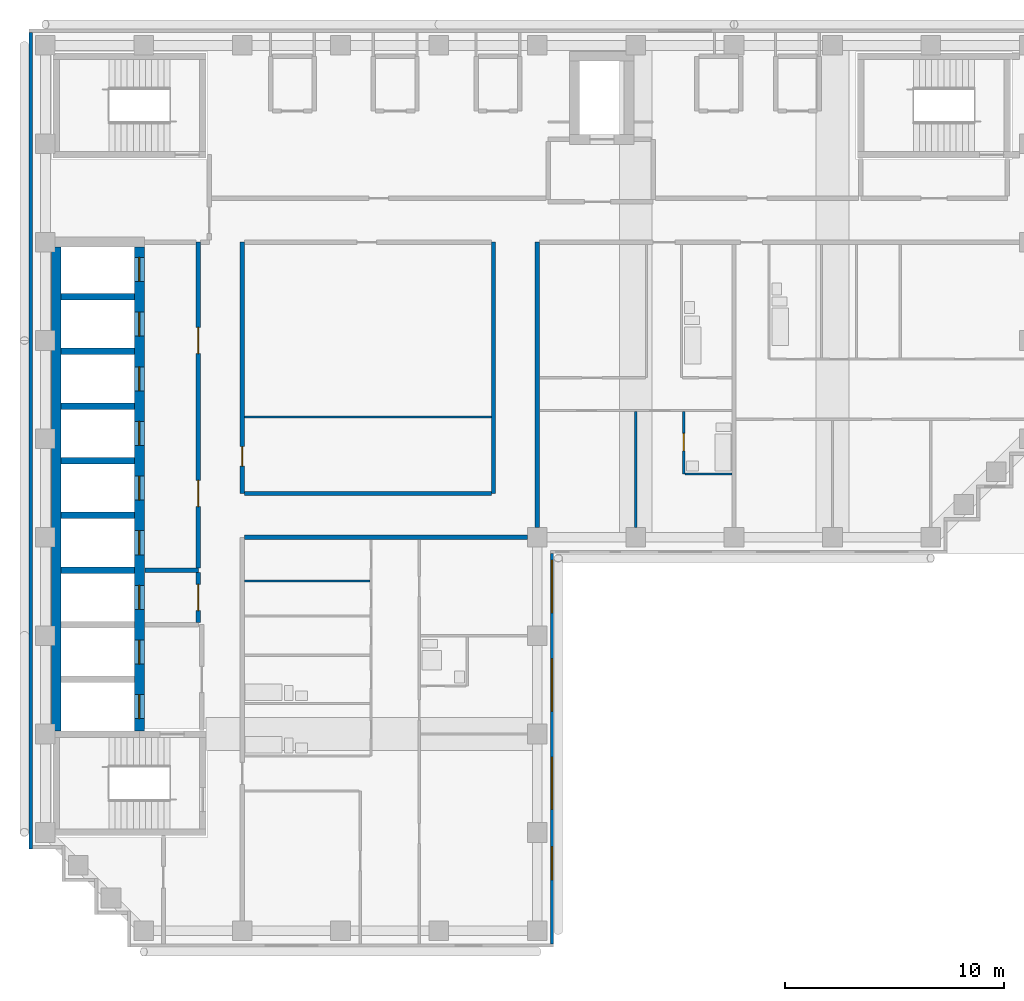
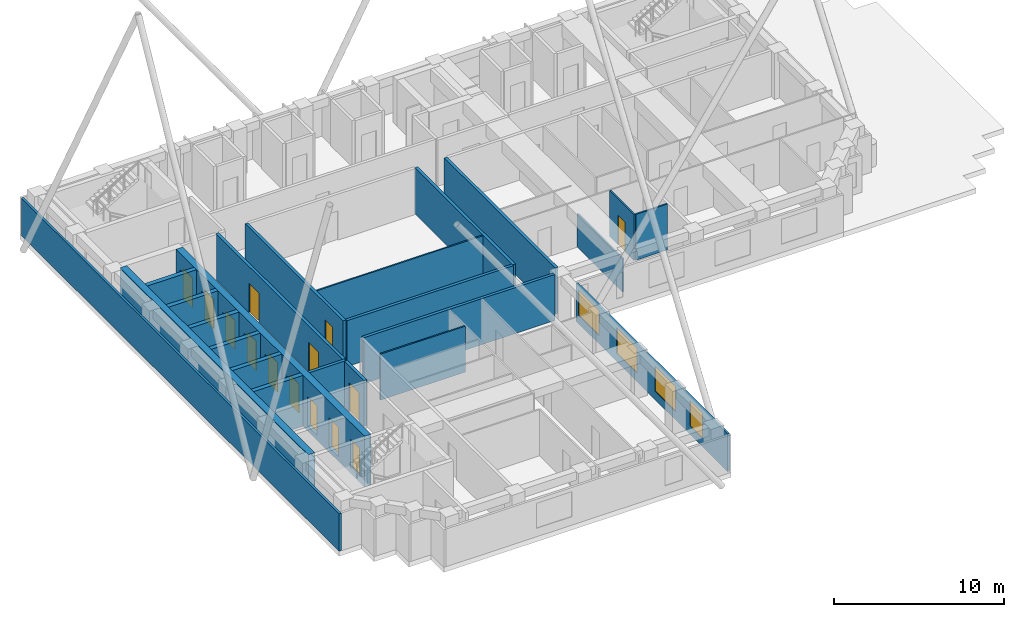
# One storey, part 3 of 8: 23 walls, 14 doors, 4 windows, 18 openings.
"""IFC4 building model written with IfcOpenShell, lengths in metres."""

from ifc_helpers import new_model, si_unit, direction, frame, frame_2d, origin, place, context, subcontext, project, spatial, rectangle, extrude, material, layer, layer_set, type_object, element, fill, save


model = new_model("IFC4")

# Units and contexts
model_context = context("Model", 3, precision=1e-05, world=origin(), true_north=direction((0.0, 1.0)))
body_context = subcontext(model_context, "Body", "Model", "MODEL_VIEW")
ifc_project = project(units=[si_unit("LENGTHUNIT", "METRE"), si_unit("AREAUNIT", "SQUARE_METRE"), si_unit("VOLUMEUNIT", "CUBIC_METRE"), si_unit("PLANEANGLEUNIT", "RADIAN"), si_unit("MASSUNIT", "GRAM", prefix="KILO")], contexts=[model_context])

# Site, building, storey
site_placement = place(None, origin())
site = spatial("IfcSite", under=ifc_project, at=site_placement, CompositionType="ELEMENT")
building_placement = place(site_placement, origin())
building = spatial("IfcBuilding", under=site, at=building_placement, Name="Firuza Court", CompositionType="ELEMENT")
storey_placement = place(building_placement, frame((0.0, 0.0, 233.0)))
storey = spatial("IfcBuildingStorey", under=building, at=storey_placement, Name="L60", CompositionType="ELEMENT", Elevation=233.0)

# Wall, opening, door
ifc_material_1 = material(Name="Moisture-resistant gypsum board partition")
ifc_layer_1 = layer(ifc_material_1, 0.10009765625)
ifc_layer_set_1 = layer_set([ifc_layer_1], Name="Moisture-resistant gypsum board partition")
wall_type_1 = type_object("IfcWallType", Name="Bathroom partition 100", PredefinedType="PLUMBINGWALL", material=ifc_layer_set_1)
wall_1_placement = place(storey_placement, frame((29.199951171875, 38.89990234375, 0.0), z_axis=(0.0, 0.0, 1.0), x_axis=(0.0, 1.0, 0.0)))
wall_1 = element("IfcWall", 1, at=wall_1_placement, inside=storey, type_object=wall_type_1, Name="Bathroom partition 100 L60", PredefinedType="PLUMBINGWALL", context=body_context, shape_type="SweptSolid", body=[
    extrude(rectangle(XDim=2.85009765625, YDim=0.10009765625, at=frame_2d((1.425048828125, 0.0))), origin(), (0.0, 0.0, 1.0), 3.300048828125),
])
opening_1_placement = place(wall_1_placement, frame((1.050048828125, 0.0, 0.0)))
opening_1 = element("IfcOpeningElement", 2, at=opening_1_placement, cuts=wall_1, Name="Opening D60025", PredefinedType="OPENING", context=body_context, shape_type="SweptSolid", body=[
    extrude(rectangle(XDim=0.800048828125, YDim=2.10009765625, at=frame_2d((0.39990234375, 1.050048828125))), frame((0.0, 0.06201171875, 0.0), z_axis=(0.0, -1.0, 0.0), x_axis=(1.0, 0.0, 0.0)), (0.0, 0.0, 1.0), 0.1240234375),
])
ifc_material_2 = material(Name="Timber door leaf in hardwood frame", Category="wood")
door_type_1 = type_object("IfcDoorType", Name="Bathroom door 800", OperationType="SINGLE_SWING_LEFT", PredefinedType="DOOR", material=ifc_material_2)
door_1_placement = place(opening_1_placement, frame((0.800048828125, 0.0, 0.0), z_axis=(0.0, 0.0, 1.0), x_axis=(-1.0, 0.0, 0.0)))
door_1 = element("IfcDoor", 3, at=door_1_placement, inside=storey, type_object=door_type_1, Name="En-suite door", OperationType="SINGLE_SWING_RIGHT", OverallHeight=2.10009765625, OverallWidth=0.800048828125, PredefinedType="DOOR", context=body_context, shape_type="SweptSolid", body=[
    extrude(rectangle(XDim=0.800048828125, YDim=2.10009765625, at=frame_2d((0.39990234375, 1.050048828125))), frame((0.0, 0.02490234375, 0.0), z_axis=(0.0, -1.0, 0.0), x_axis=(1.0, 0.0, 0.0)), (0.0, 0.0, 1.0), 0.050048828125),
])
fill(opening_1, door_1)

# Walls
wall_2_placement = place(storey_placement, frame((29.25, 38.89990234375, 0.0), z_axis=(0.0, 0.0, 1.0), x_axis=(1.0, 0.0, 0.0)))
element("IfcWall", 4, at=wall_2_placement, inside=storey, type_object=wall_type_1, Name="Bathroom partition 100 L60", PredefinedType="PLUMBINGWALL", context=body_context, shape_type="SweptSolid", body=[
    extrude(rectangle(XDim=2.14990234375, YDim=0.10009765625, at=frame_2d((1.074951171875, 0.0))), origin(), (0.0, 0.0, 1.0), 3.300048828125),
])
ifc_material_3 = material(Name="Concrete C50/60", Category="concrete")
ifc_layer_2 = layer(ifc_material_3, 0.300048828125)
ifc_layer_set_2 = layer_set([ifc_layer_2], Name="Concrete C50/60")
wall_type_2 = type_object("IfcWallType", Name="Core wall 300 C50/60", PredefinedType="SHEAR", material=ifc_layer_set_2)
for number, where, z_axis, x_axis, name in (
    (5, (0.72509765625, 34.5, -0.35009765625), (0.0, 0.0, 1.0), (1.0, 0.0, 0.0), "Core wall lift shaft L60"),
    (6, (0.72509765625, 37.0, -0.35009765625), (0.0, 0.0, 1.0), (1.0, 0.0, 0.0), "Core wall lift shaft L60"),
    (7, (0.72509765625, 39.5, -0.35009765625), (0.0, 0.0, 1.0), (1.0, 0.0, 0.0), "Core wall lift shaft L60"),
    (8, (0.72509765625, 42.0, -0.35009765625), (0.0, 0.0, 1.0), (1.0, 0.0, 0.0), "Core wall lift shaft L60"),
    (9, (0.72509765625, 44.5, -0.35009765625), (0.0, 0.0, 1.0), (1.0, 0.0, 0.0), "Core wall lift shaft L60"),
    (10, (0.72509765625, 47.0, -0.35009765625), (0.0, 0.0, 1.0), (1.0, 0.0, 0.0), "Core wall lift shaft L60"),
):
    element("IfcWall", number, at=place(storey_placement, frame(where, z_axis=z_axis, x_axis=x_axis)), inside=storey, type_object=wall_type_2, Name=name, PredefinedType="SHEAR", context=body_context, shape_type="SweptSolid", body=[
        extrude(rectangle(XDim=3.349853515625, YDim=0.300048828125, at=frame_2d((1.6748046875, 0.0))), origin(), (0.0, 0.0, 1.0), 3.650146484375),
    ])
ifc_layer_3 = layer(ifc_material_3, 0.449951171875)
ifc_layer_set_3 = layer_set([ifc_layer_3], Name="Concrete C50/60")
wall_type_3 = type_object("IfcWallType", Name="Core wall 450 C50/60", PredefinedType="SHEAR", material=ifc_layer_set_3)
wall_3_placement = place(storey_placement, frame((0.5, 27.14990234375, -0.35009765625), z_axis=(0.0, 0.0, 1.0), x_axis=(0.0, 1.0, 0.0)))
element("IfcWall", 11, at=wall_3_placement, inside=storey, type_object=wall_type_3, Name="Core wall lift shaft L60", PredefinedType="SHEAR", context=body_context, shape_type="SweptSolid", body=[
    extrude(rectangle(XDim=22.125, YDim=0.449951171875, at=frame_2d((11.0625, 0.0))), origin(), (0.0, 0.0, 1.0), 3.650146484375),
])

# Wall, openings, doors
wall_4_placement = place(storey_placement, frame((4.300048828125, 27.14990234375, -0.35009765625), z_axis=(0.0, 0.0, 1.0), x_axis=(0.0, 1.0, 0.0)))
wall_4 = element("IfcWall", 12, at=wall_4_placement, inside=storey, type_object=wall_type_3, Name="Core wall lift shaft L60", PredefinedType="SHEAR", context=body_context, shape_type="SweptSolid", body=[
    extrude(rectangle(XDim=22.125, YDim=0.449951171875, at=frame_2d((11.0625, 0.0))), origin(), (0.0, 0.0, 1.0), 3.650146484375),
])
opening_2_placement = place(wall_4_placement, frame((3.050048828125, 0.0, 0.35009765625)))
opening_2 = element("IfcOpeningElement", 13, at=opening_2_placement, cuts=wall_4, Name="Opening LD-FL1-60", PredefinedType="OPENING", context=body_context, shape_type="SweptSolid", body=[
    extrude(rectangle(XDim=1.10009765625, YDim=2.10009765625, at=frame_2d((0.550048828125, 1.050048828125))), frame((0.0, 0.23681640625, 0.0), z_axis=(0.0, -1.0, 0.0), x_axis=(1.0, 0.0, 0.0)), (0.0, 0.0, 1.0), 0.473876953125),
])
opening_3_placement = place(wall_4_placement, frame((0.550048828125, 0.0, 0.35009765625)))
opening_3 = element("IfcOpeningElement", 14, at=opening_3_placement, cuts=wall_4, Name="Opening LD-FL2-60", PredefinedType="OPENING", context=body_context, shape_type="SweptSolid", body=[
    extrude(rectangle(XDim=1.10009765625, YDim=2.10009765625, at=frame_2d((0.550048828125, 1.050048828125))), frame((0.0, 0.23681640625, 0.0), z_axis=(0.0, -1.0, 0.0), x_axis=(1.0, 0.0, 0.0)), (0.0, 0.0, 1.0), 0.473876953125),
])
opening_4_placement = place(wall_4_placement, frame((20.550048828125, 0.0, 0.35009765625)))
opening_4 = element("IfcOpeningElement", 15, at=opening_4_placement, cuts=wall_4, Name="Opening LD-HB1-60", PredefinedType="OPENING", context=body_context, shape_type="SweptSolid", body=[
    extrude(rectangle(XDim=1.10009765625, YDim=2.10009765625, at=frame_2d((0.550048828125, 1.050048828125))), frame((0.0, 0.23681640625, 0.0), z_axis=(0.0, -1.0, 0.0), x_axis=(1.0, 0.0, 0.0)), (0.0, 0.0, 1.0), 0.473876953125),
])
opening_5_placement = place(wall_4_placement, frame((18.050048828125, 0.0, 0.35009765625)))
opening_5 = element("IfcOpeningElement", 16, at=opening_5_placement, cuts=wall_4, Name="Opening LD-HB2-60", PredefinedType="OPENING", context=body_context, shape_type="SweptSolid", body=[
    extrude(rectangle(XDim=1.10009765625, YDim=2.10009765625, at=frame_2d((0.550048828125, 1.050048828125))), frame((0.0, 0.23681640625, 0.0), z_axis=(0.0, -1.0, 0.0), x_axis=(1.0, 0.0, 0.0)), (0.0, 0.0, 1.0), 0.473876953125),
])
opening_6_placement = place(wall_4_placement, frame((15.550048828125, 0.0, 0.35009765625)))
opening_6 = element("IfcOpeningElement", 17, at=opening_6_placement, cuts=wall_4, Name="Opening LD-HB3-60", PredefinedType="OPENING", context=body_context, shape_type="SweptSolid", body=[
    extrude(rectangle(XDim=1.10009765625, YDim=2.10009765625, at=frame_2d((0.550048828125, 1.050048828125))), frame((0.0, 0.23681640625, 0.0), z_axis=(0.0, -1.0, 0.0), x_axis=(1.0, 0.0, 0.0)), (0.0, 0.0, 1.0), 0.473876953125),
])
opening_7_placement = place(wall_4_placement, frame((13.050048828125, 0.0, 0.35009765625)))
opening_7 = element("IfcOpeningElement", 18, at=opening_7_placement, cuts=wall_4, Name="Opening LD-HB4-60", PredefinedType="OPENING", context=body_context, shape_type="SweptSolid", body=[
    extrude(rectangle(XDim=1.10009765625, YDim=2.10009765625, at=frame_2d((0.550048828125, 1.050048828125))), frame((0.0, 0.23681640625, 0.0), z_axis=(0.0, -1.0, 0.0), x_axis=(1.0, 0.0, 0.0)), (0.0, 0.0, 1.0), 0.473876953125),
])
opening_8_placement = place(wall_4_placement, frame((10.550048828125, 0.0, 0.35009765625)))
opening_8 = element("IfcOpeningElement", 19, at=opening_8_placement, cuts=wall_4, Name="Opening LD-HB5-60", PredefinedType="OPENING", context=body_context, shape_type="SweptSolid", body=[
    extrude(rectangle(XDim=1.10009765625, YDim=2.10009765625, at=frame_2d((0.550048828125, 1.050048828125))), frame((0.0, 0.23681640625, 0.0), z_axis=(0.0, -1.0, 0.0), x_axis=(1.0, 0.0, 0.0)), (0.0, 0.0, 1.0), 0.473876953125),
])
opening_9_placement = place(wall_4_placement, frame((8.050048828125, 0.0, 0.35009765625)))
opening_9 = element("IfcOpeningElement", 20, at=opening_9_placement, cuts=wall_4, Name="Opening LD-HB6-60", PredefinedType="OPENING", context=body_context, shape_type="SweptSolid", body=[
    extrude(rectangle(XDim=1.10009765625, YDim=2.10009765625, at=frame_2d((0.550048828125, 1.050048828125))), frame((0.0, 0.23681640625, 0.0), z_axis=(0.0, -1.0, 0.0), x_axis=(1.0, 0.0, 0.0)), (0.0, 0.0, 1.0), 0.473876953125),
])
opening_10_placement = place(wall_4_placement, frame((5.550048828125, 0.0, 0.35009765625)))
opening_10 = element("IfcOpeningElement", 21, at=opening_10_placement, cuts=wall_4, Name="Opening LD-SL1-60", PredefinedType="OPENING", context=body_context, shape_type="SweptSolid", body=[
    extrude(rectangle(XDim=1.10009765625, YDim=2.10009765625, at=frame_2d((0.550048828125, 1.050048828125))), frame((0.0, 0.23681640625, 0.0), z_axis=(0.0, -1.0, 0.0), x_axis=(1.0, 0.0, 0.0)), (0.0, 0.0, 1.0), 0.473876953125),
])
ifc_material_4 = material(Name="Stainless steel 1.4301 door leaf", Category="steel")
door_type_2 = type_object("IfcDoorType", Name="Lift landing door 1100", OperationType="SLIDING_TO_LEFT", PredefinedType="DOOR", material=ifc_material_4)
door_2_placement = place(opening_2_placement, origin())
door_2 = element("IfcDoor", 22, at=door_2_placement, inside=storey, type_object=door_type_2, Name="Landing door FL1", OperationType="SLIDING_TO_LEFT", OverallHeight=2.10009765625, OverallWidth=1.10009765625, PredefinedType="DOOR", context=body_context, shape_type="SweptSolid", body=[
    extrude(rectangle(XDim=1.10009765625, YDim=2.10009765625, at=frame_2d((0.550048828125, 1.050048828125))), frame((0.0, 0.02490234375, 0.0), z_axis=(0.0, -1.0, 0.0), x_axis=(1.0, 0.0, 0.0)), (0.0, 0.0, 1.0), 0.050048828125),
])
fill(opening_2, door_2)
door_3_placement = place(opening_3_placement, origin())
door_3 = element("IfcDoor", 23, at=door_3_placement, inside=storey, type_object=door_type_2, Name="Landing door FL2", OperationType="SLIDING_TO_LEFT", OverallHeight=2.10009765625, OverallWidth=1.10009765625, PredefinedType="DOOR", context=body_context, shape_type="SweptSolid", body=[
    extrude(rectangle(XDim=1.10009765625, YDim=2.10009765625, at=frame_2d((0.550048828125, 1.050048828125))), frame((0.0, 0.02490234375, 0.0), z_axis=(0.0, -1.0, 0.0), x_axis=(1.0, 0.0, 0.0)), (0.0, 0.0, 1.0), 0.050048828125),
])
fill(opening_3, door_3)
door_4_placement = place(opening_4_placement, origin())
door_4 = element("IfcDoor", 24, at=door_4_placement, inside=storey, type_object=door_type_2, Name="Landing door HB1", OperationType="SLIDING_TO_LEFT", OverallHeight=2.10009765625, OverallWidth=1.10009765625, PredefinedType="DOOR", context=body_context, shape_type="SweptSolid", body=[
    extrude(rectangle(XDim=1.10009765625, YDim=2.10009765625, at=frame_2d((0.550048828125, 1.050048828125))), frame((0.0, 0.02490234375, 0.0), z_axis=(0.0, -1.0, 0.0), x_axis=(1.0, 0.0, 0.0)), (0.0, 0.0, 1.0), 0.050048828125),
])
fill(opening_4, door_4)
door_5_placement = place(opening_5_placement, origin())
door_5 = element("IfcDoor", 25, at=door_5_placement, inside=storey, type_object=door_type_2, Name="Landing door HB2", OperationType="SLIDING_TO_LEFT", OverallHeight=2.10009765625, OverallWidth=1.10009765625, PredefinedType="DOOR", context=body_context, shape_type="SweptSolid", body=[
    extrude(rectangle(XDim=1.10009765625, YDim=2.10009765625, at=frame_2d((0.550048828125, 1.050048828125))), frame((0.0, 0.02490234375, 0.0), z_axis=(0.0, -1.0, 0.0), x_axis=(1.0, 0.0, 0.0)), (0.0, 0.0, 1.0), 0.050048828125),
])
fill(opening_5, door_5)
door_6_placement = place(opening_6_placement, origin())
door_6 = element("IfcDoor", 26, at=door_6_placement, inside=storey, type_object=door_type_2, Name="Landing door HB3", OperationType="SLIDING_TO_LEFT", OverallHeight=2.10009765625, OverallWidth=1.10009765625, PredefinedType="DOOR", context=body_context, shape_type="SweptSolid", body=[
    extrude(rectangle(XDim=1.10009765625, YDim=2.10009765625, at=frame_2d((0.550048828125, 1.050048828125))), frame((0.0, 0.02490234375, 0.0), z_axis=(0.0, -1.0, 0.0), x_axis=(1.0, 0.0, 0.0)), (0.0, 0.0, 1.0), 0.050048828125),
])
fill(opening_6, door_6)
door_7_placement = place(opening_7_placement, origin())
door_7 = element("IfcDoor", 27, at=door_7_placement, inside=storey, type_object=door_type_2, Name="Landing door HB4", OperationType="SLIDING_TO_LEFT", OverallHeight=2.10009765625, OverallWidth=1.10009765625, PredefinedType="DOOR", context=body_context, shape_type="SweptSolid", body=[
    extrude(rectangle(XDim=1.10009765625, YDim=2.10009765625, at=frame_2d((0.550048828125, 1.050048828125))), frame((0.0, 0.02490234375, 0.0), z_axis=(0.0, -1.0, 0.0), x_axis=(1.0, 0.0, 0.0)), (0.0, 0.0, 1.0), 0.050048828125),
])
fill(opening_7, door_7)
door_8_placement = place(opening_8_placement, origin())
door_8 = element("IfcDoor", 28, at=door_8_placement, inside=storey, type_object=door_type_2, Name="Landing door HB5", OperationType="SLIDING_TO_LEFT", OverallHeight=2.10009765625, OverallWidth=1.10009765625, PredefinedType="DOOR", context=body_context, shape_type="SweptSolid", body=[
    extrude(rectangle(XDim=1.10009765625, YDim=2.10009765625, at=frame_2d((0.550048828125, 1.050048828125))), frame((0.0, 0.02490234375, 0.0), z_axis=(0.0, -1.0, 0.0), x_axis=(1.0, 0.0, 0.0)), (0.0, 0.0, 1.0), 0.050048828125),
])
fill(opening_8, door_8)
door_9_placement = place(opening_9_placement, origin())
door_9 = element("IfcDoor", 29, at=door_9_placement, inside=storey, type_object=door_type_2, Name="Landing door HB6", OperationType="SLIDING_TO_LEFT", OverallHeight=2.10009765625, OverallWidth=1.10009765625, PredefinedType="DOOR", context=body_context, shape_type="SweptSolid", body=[
    extrude(rectangle(XDim=1.10009765625, YDim=2.10009765625, at=frame_2d((0.550048828125, 1.050048828125))), frame((0.0, 0.02490234375, 0.0), z_axis=(0.0, -1.0, 0.0), x_axis=(1.0, 0.0, 0.0)), (0.0, 0.0, 1.0), 0.050048828125),
])
fill(opening_9, door_9)
door_10_placement = place(opening_10_placement, origin())
door_10 = element("IfcDoor", 30, at=door_10_placement, inside=storey, type_object=door_type_2, Name="Landing door SL1", OperationType="SLIDING_TO_LEFT", OverallHeight=2.10009765625, OverallWidth=1.10009765625, PredefinedType="DOOR", context=body_context, shape_type="SweptSolid", body=[
    extrude(rectangle(XDim=1.10009765625, YDim=2.10009765625, at=frame_2d((0.550048828125, 1.050048828125))), frame((0.0, 0.02490234375, 0.0), z_axis=(0.0, -1.0, 0.0), x_axis=(1.0, 0.0, 0.0)), (0.0, 0.0, 1.0), 0.050048828125),
])
fill(opening_10, door_10)

# Wall, opening, door
ifc_material_5 = material(Name="Blockwork, plastered both sides", Category="masonry")
ifc_layer_4 = layer(ifc_material_5, 0.199951171875)
ifc_layer_set_4 = layer_set([ifc_layer_4], Name="Blockwork, plastered both sides")
wall_type_4 = type_object("IfcWallType", Name="Corridor wall 200", PredefinedType="PARTITIONING", material=ifc_layer_set_4)
wall_5_placement = place(storey_placement, frame((9.0, 38.0, 0.0), z_axis=(0.0, 0.0, 1.0), x_axis=(0.0, 1.0, 0.0)))
wall_5 = element("IfcWall", 31, at=wall_5_placement, inside=storey, type_object=wall_type_4, Name="Corridor wall 200 L60", PredefinedType="PARTITIONING", context=body_context, shape_type="SweptSolid", body=[
    extrude(rectangle(XDim=11.5, YDim=0.199951171875, at=frame_2d((5.75, 0.0))), origin(), (0.0, 0.0, 1.0), 3.300048828125),
])
opening_11_placement = place(wall_5_placement, frame((1.25, 0.0, 0.0)))
opening_11 = element("IfcOpeningElement", 32, at=opening_11_placement, cuts=wall_5, Name="Opening D60024", PredefinedType="OPENING", context=body_context, shape_type="SweptSolid", body=[
    extrude(rectangle(XDim=0.89990234375, YDim=2.10009765625, at=frame_2d((0.449951171875, 1.050048828125))), frame((0.0, 0.11181640625, 0.0), z_axis=(0.0, -1.0, 0.0), x_axis=(1.0, 0.0, 0.0)), (0.0, 0.0, 1.0), 0.223876953125),
])
ifc_material_6 = material(Name="Timber door leaf in hardwood frame", Category="wood")
door_type_3 = type_object("IfcDoorType", Name="Room door 900 EI 30", OperationType="SINGLE_SWING_LEFT", PredefinedType="DOOR", material=ifc_material_6)
door_11_placement = place(opening_11_placement, origin())
door_11 = element("IfcDoor", 33, at=door_11_placement, inside=storey, type_object=door_type_3, Name="Fitness studio door", OperationType="SINGLE_SWING_LEFT", OverallHeight=2.10009765625, OverallWidth=0.89990234375, PredefinedType="DOOR", context=body_context, shape_type="SweptSolid", body=[
    extrude(rectangle(XDim=0.89990234375, YDim=2.10009765625, at=frame_2d((0.449951171875, 1.050048828125))), frame((0.0, 0.02490234375, 0.0), z_axis=(0.0, -1.0, 0.0), x_axis=(1.0, 0.0, 0.0)), (0.0, 0.0, 1.0), 0.050048828125),
])
fill(opening_11, door_11)

# Walls
wall_6_placement = place(storey_placement, frame((9.10009765625, 38.0, 0.0), z_axis=(0.0, 0.0, 1.0), x_axis=(1.0, 0.0, 0.0)))
element("IfcWall", 34, at=wall_6_placement, inside=storey, type_object=wall_type_4, Name="Corridor wall 200 L60", PredefinedType="PARTITIONING", context=body_context, shape_type="SweptSolid", body=[
    extrude(rectangle(XDim=11.2998046875, YDim=0.199951171875, at=frame_2d((5.64990234375, 0.0))), origin(), (0.0, 0.0, 1.0), 3.300048828125),
])
wall_7_placement = place(storey_placement, frame((20.5, 38.0, 0.0), z_axis=(0.0, 0.0, 1.0), x_axis=(0.0, 1.0, 0.0)))
element("IfcWall", 35, at=wall_7_placement, inside=storey, type_object=wall_type_4, Name="Corridor wall 200 L60", PredefinedType="PARTITIONING", context=body_context, shape_type="SweptSolid", body=[
    extrude(rectangle(XDim=11.5, YDim=0.199951171875, at=frame_2d((5.75, 0.0))), origin(), (0.0, 0.0, 1.0), 3.300048828125),
])
ifc_material_7 = material(Name="Timber stud partition, plasterboard both sides", Category="wood")
ifc_layer_5 = layer(ifc_material_7, 0.10009765625)
ifc_layer_set_5 = layer_set([ifc_layer_5], Name="Timber stud partition, plasterboard both sides")
wall_type_5 = type_object("IfcWallType", Name="Partition wall 100", PredefinedType="PARTITIONING", material=ifc_layer_set_5)
wall_8_placement = place(storey_placement, frame((9.10009765625, 34.0, 0.0), z_axis=(0.0, 0.0, 1.0), x_axis=(1.0, 0.0, 0.0)))
element("IfcWall", 36, at=wall_8_placement, inside=storey, type_object=wall_type_5, Name="Partition wall 100 L60", PredefinedType="PARTITIONING", context=body_context, shape_type="SweptSolid", body=[
    extrude(rectangle(XDim=5.75, YDim=0.10009765625, at=frame_2d((2.875, 0.0))), origin(), (0.0, 0.0, 1.0), 3.300048828125),
])
wall_9_placement = place(storey_placement, frame((27.0, 36.449951171875, 0.0), z_axis=(0.0, 0.0, 1.0), x_axis=(0.0, 1.0, 0.0)))
element("IfcWall", 37, at=wall_9_placement, inside=storey, type_object=wall_type_5, Name="Partition wall 100 L60", PredefinedType="PARTITIONING", context=body_context, shape_type="SweptSolid", body=[
    extrude(rectangle(XDim=5.300048828125, YDim=0.10009765625, at=frame_2d((2.64990234375, 0.0))), origin(), (0.0, 0.0, 1.0), 2.39990234375),
])
wall_10_placement = place(storey_placement, frame((9.10009765625, 41.5, 0.0), z_axis=(0.0, 0.0, 1.0), x_axis=(1.0, 0.0, 0.0)))
element("IfcWall", 38, at=wall_10_placement, inside=storey, type_object=wall_type_5, Name="Partition wall 100 L60", PredefinedType="PARTITIONING", context=body_context, shape_type="SweptSolid", body=[
    extrude(rectangle(XDim=11.2998046875, YDim=0.10009765625, at=frame_2d((5.64990234375, 0.0))), origin(), (0.0, 0.0, 1.0), 3.300048828125),
])
ifc_layer_6 = layer(ifc_material_5, 0.199951171875)
ifc_layer_set_6 = layer_set([ifc_layer_6], Name="Blockwork, plastered both sides")
wall_type_6 = type_object("IfcWallType", Name="Party wall 200", PredefinedType="PARTITIONING", material=ifc_layer_set_6)
wall_11_placement = place(storey_placement, frame((9.10009765625, 36.0, 0.0), z_axis=(0.0, 0.0, 1.0), x_axis=(1.0, 0.0, 0.0)))
element("IfcWall", 39, at=wall_11_placement, inside=storey, type_object=wall_type_6, Name="Party wall 200 L60", PredefinedType="PARTITIONING", context=body_context, shape_type="SweptSolid", body=[
    extrude(rectangle(XDim=12.949951171875, YDim=0.199951171875, at=frame_2d((6.47509765625, 0.0))), origin(), (0.0, 0.0, 1.0), 3.300048828125),
])
wall_12_placement = place(storey_placement, frame((22.5, 36.449951171875, 0.0), z_axis=(0.0, 0.0, 1.0), x_axis=(0.0, 1.0, 0.0)))
element("IfcWall", 40, at=wall_12_placement, inside=storey, type_object=wall_type_6, Name="Party wall 200 L60", PredefinedType="PARTITIONING", context=body_context, shape_type="SweptSolid", body=[
    extrude(rectangle(XDim=13.050048828125, YDim=0.199951171875, at=frame_2d((6.52490234375, 0.0))), origin(), (0.0, 0.0, 1.0), 3.300048828125),
])

# Wall, openings, windows
ifc_material_8 = material(Name="Ceramic tile", Category="ceramic")
ifc_layer_7 = layer(ifc_material_8, 0.02001953125)
ifc_material_9 = material(Name="Mineral wool insulation", Category="insulation")
ifc_layer_8 = layer(ifc_material_9, 0.050048828125)
ifc_material_10 = material(Name="Concrete C40/50 precast", Category="concrete")
ifc_layer_9 = layer(ifc_material_10, 0.080078125)
ifc_layer_set_7 = layer_set([ifc_layer_7, ifc_layer_8, ifc_layer_9], Name="Concrete C40/50 precast")
wall_type_7 = type_object("IfcWallType", Name="Precast cladding wall with turquoise TILE PANEL face 150", PredefinedType="STANDARD", material=ifc_layer_set_7)
wall_13_placement = place(storey_placement, frame((23.175048828125, 17.39990234375, 0.0), z_axis=(0.0, 0.0, 1.0), x_axis=(0.0, 1.0, 0.0)))
wall_13 = element("IfcWall", 41, at=wall_13_placement, inside=storey, type_object=wall_type_7, Name="Facade wall L60 E", PredefinedType="STANDARD", context=body_context, shape_type="SweptSolid", body=[
    extrude(rectangle(XDim=17.85009765625, YDim=0.14990234375, at=frame_2d((8.925048828125, 0.0))), origin(), (0.0, 0.0, 1.0), 2.699951171875),
])
opening_12_placement = place(wall_13_placement, frame((2.941162109375, 0.0, 0.60009765625)))
opening_12 = element("IfcOpeningElement", 42, at=opening_12_placement, cuts=wall_13, Name="Opening W2", PredefinedType="OPENING", context=body_context, shape_type="SweptSolid", body=[
    extrude(rectangle(XDim=1.5, YDim=1.800048828125, at=frame_2d((0.75, 0.89990234375))), frame((0.0, 0.0869140625, 0.0), z_axis=(0.0, -1.0, 0.0), x_axis=(1.0, 0.0, 0.0)), (0.0, 0.0, 1.0), 0.173828125),
])
opening_13_placement = place(wall_13_placement, frame((6.14990234375, 0.0, 0.60009765625)))
opening_13 = element("IfcOpeningElement", 43, at=opening_13_placement, cuts=wall_13, Name="Opening W1", PredefinedType="OPENING", context=body_context, shape_type="SweptSolid", body=[
    extrude(rectangle(XDim=2.39990234375, YDim=1.800048828125, at=frame_2d((1.199951171875, 0.89990234375))), frame((0.0, 0.0869140625, 0.0), z_axis=(0.0, -1.0, 0.0), x_axis=(1.0, 0.0, 0.0)), (0.0, 0.0, 1.0), 0.173828125),
])
opening_14_placement = place(wall_13_placement, frame((10.64990234375, 0.0, 0.60009765625)))
opening_14 = element("IfcOpeningElement", 44, at=opening_14_placement, cuts=wall_13, Name="Opening W1", PredefinedType="OPENING", context=body_context, shape_type="SweptSolid", body=[
    extrude(rectangle(XDim=2.39990234375, YDim=1.800048828125, at=frame_2d((1.199951171875, 0.89990234375))), frame((0.0, 0.0869140625, 0.0), z_axis=(0.0, -1.0, 0.0), x_axis=(1.0, 0.0, 0.0)), (0.0, 0.0, 1.0), 0.173828125),
])
opening_15_placement = place(wall_13_placement, frame((15.14990234375, 0.0, 0.60009765625)))
opening_15 = element("IfcOpeningElement", 45, at=opening_15_placement, cuts=wall_13, Name="Opening W1", PredefinedType="OPENING", context=body_context, shape_type="SweptSolid", body=[
    extrude(rectangle(XDim=2.39990234375, YDim=1.800048828125, at=frame_2d((1.199951171875, 0.89990234375))), frame((0.0, 0.0869140625, 0.0), z_axis=(0.0, -1.0, 0.0), x_axis=(1.0, 0.0, 0.0)), (0.0, 0.0, 1.0), 0.173828125),
])
ifc_material_11 = material(Name="Aluminium frame, triple clear glazing", Category="aluminium")
window_type_1 = type_object("IfcWindowType", Name="Window W1 2400 x 1800", PartitioningType="SINGLE_PANEL", PredefinedType="WINDOW", material=ifc_material_11)
window_1_placement = place(opening_13_placement, origin())
window_1 = element("IfcWindow", 46, at=window_1_placement, inside=storey, type_object=window_type_1, Name="Window L60", OverallHeight=1.800048828125, OverallWidth=2.39990234375, PartitioningType="SINGLE_PANEL", PredefinedType="WINDOW", context=body_context, shape_type="SweptSolid", body=[
    extrude(rectangle(XDim=2.39990234375, YDim=1.800048828125, at=frame_2d((1.199951171875, 0.89990234375))), frame((0.0, 0.030029296875, 0.0), z_axis=(0.0, -1.0, 0.0), x_axis=(1.0, 0.0, 0.0)), (0.0, 0.0, 1.0), 0.06005859375),
])
fill(opening_13, window_1)
window_2_placement = place(opening_14_placement, origin())
window_2 = element("IfcWindow", 47, at=window_2_placement, inside=storey, type_object=window_type_1, Name="Window L60", OverallHeight=1.800048828125, OverallWidth=2.39990234375, PartitioningType="SINGLE_PANEL", PredefinedType="WINDOW", context=body_context, shape_type="SweptSolid", body=[
    extrude(rectangle(XDim=2.39990234375, YDim=1.800048828125, at=frame_2d((1.199951171875, 0.89990234375))), frame((0.0, 0.030029296875, 0.0), z_axis=(0.0, -1.0, 0.0), x_axis=(1.0, 0.0, 0.0)), (0.0, 0.0, 1.0), 0.06005859375),
])
fill(opening_14, window_2)
window_3_placement = place(opening_15_placement, origin())
window_3 = element("IfcWindow", 48, at=window_3_placement, inside=storey, type_object=window_type_1, Name="Window L60", OverallHeight=1.800048828125, OverallWidth=2.39990234375, PartitioningType="SINGLE_PANEL", PredefinedType="WINDOW", context=body_context, shape_type="SweptSolid", body=[
    extrude(rectangle(XDim=2.39990234375, YDim=1.800048828125, at=frame_2d((1.199951171875, 0.89990234375))), frame((0.0, 0.030029296875, 0.0), z_axis=(0.0, -1.0, 0.0), x_axis=(1.0, 0.0, 0.0)), (0.0, 0.0, 1.0), 0.06005859375),
])
fill(opening_15, window_3)
ifc_material_12 = material(Name="Aluminium frame, triple clear glazing", Category="aluminium")
window_type_2 = type_object("IfcWindowType", Name="Window W2 1500 x 1800", PartitioningType="SINGLE_PANEL", PredefinedType="WINDOW", material=ifc_material_12)
window_4_placement = place(opening_12_placement, origin())
window_4 = element("IfcWindow", 49, at=window_4_placement, inside=storey, type_object=window_type_2, Name="Window L60", OverallHeight=1.800048828125, OverallWidth=1.5, PartitioningType="SINGLE_PANEL", PredefinedType="WINDOW", context=body_context, shape_type="SweptSolid", body=[
    extrude(rectangle(XDim=1.5, YDim=1.800048828125, at=frame_2d((0.75, 0.89990234375))), frame((0.0, 0.030029296875, 0.0), z_axis=(0.0, -1.0, 0.0), x_axis=(1.0, 0.0, 0.0)), (0.0, 0.0, 1.0), 0.06005859375),
])
fill(opening_12, window_4)

# Walls
wall_14_placement = place(storey_placement, frame((-0.675048828125, 59.10009765625, 0.0), z_axis=(0.0, 0.0, 1.0), x_axis=(0.0, -1.0, 0.0)))
element("IfcWall", 50, at=wall_14_placement, inside=storey, type_object=wall_type_7, Name="Facade wall L60 W", PredefinedType="STANDARD", context=body_context, shape_type="SweptSolid", body=[
    extrude(rectangle(XDim=37.35009765625, YDim=0.14990234375, at=frame_2d((18.675048828125, 0.0))), origin(), (0.0, 0.0, 1.0), 2.699951171875),
])
ifc_material_13 = material(Name="Blockwork, fire-rated", Category="masonry")
ifc_layer_10 = layer(ifc_material_13, 0.199951171875)
ifc_layer_set_8 = layer_set([ifc_layer_10], Name="Blockwork, fire-rated")
wall_type_8 = type_object("IfcWallType", Name="Shaft wall 200", PredefinedType="PARTITIONING", material=ifc_layer_set_8)
wall_15_placement = place(storey_placement, frame((4.544921875, 34.5, 0.0), z_axis=(0.0, 0.0, 1.0), x_axis=(1.0, 0.0, 0.0)))
element("IfcWall", 51, at=wall_15_placement, inside=storey, type_object=wall_type_8, Name="Shaft wall 200 L60", PredefinedType="PARTITIONING", context=body_context, shape_type="SweptSolid", body=[
    extrude(rectangle(XDim=2.455078125, YDim=0.199951171875, at=frame_2d((1.2275390625, 0.0))), origin(), (0.0, 0.0, 1.0), 3.300048828125),
])

# Wall, openings, doors
wall_16_placement = place(storey_placement, frame((7.0, 34.60009765625, 0.0), z_axis=(0.0, 0.0, 1.0), x_axis=(0.0, 1.0, 0.0)))
wall_16 = element("IfcWall", 52, at=wall_16_placement, inside=storey, type_object=wall_type_8, Name="Shaft wall 200 L60", PredefinedType="PARTITIONING", context=body_context, shape_type="SweptSolid", body=[
    extrude(rectangle(XDim=14.89990234375, YDim=0.199951171875, at=frame_2d((7.449951171875, 0.0))), origin(), (0.0, 0.0, 1.0), 3.300048828125),
])
opening_16_placement = place(wall_16_placement, frame((2.800048828125, 0.0, 0.0)))
opening_16 = element("IfcOpeningElement", 53, at=opening_16_placement, cuts=wall_16, Name="Opening D60004", PredefinedType="OPENING", context=body_context, shape_type="SweptSolid", body=[
    extrude(rectangle(XDim=1.199951171875, YDim=2.10009765625, at=frame_2d((0.60009765625, 1.050048828125))), frame((0.0, 0.11181640625, 0.0), z_axis=(0.0, -1.0, 0.0), x_axis=(1.0, 0.0, 0.0)), (0.0, 0.0, 1.0), 0.223876953125),
])
opening_17_placement = place(wall_16_placement, frame((9.800048828125, 0.0, 0.0)))
opening_17 = element("IfcOpeningElement", 54, at=opening_17_placement, cuts=wall_16, Name="Opening D60005", PredefinedType="OPENING", context=body_context, shape_type="SweptSolid", body=[
    extrude(rectangle(XDim=1.199951171875, YDim=2.10009765625, at=frame_2d((0.60009765625, 1.050048828125))), frame((0.0, 0.11181640625, 0.0), z_axis=(0.0, -1.0, 0.0), x_axis=(1.0, 0.0, 0.0)), (0.0, 0.0, 1.0), 0.223876953125),
])
ifc_material_14 = material(Name="Timber door leaf in hardwood frame", Category="wood")
door_type_4 = type_object("IfcDoorType", Name="Lobby door 1200", OperationType="SINGLE_SWING_LEFT", PredefinedType="DOOR", material=ifc_material_14)
door_12_placement = place(opening_16_placement, origin())
door_12 = element("IfcDoor", 55, at=door_12_placement, inside=storey, type_object=door_type_4, Name="Lobby door", OperationType="SINGLE_SWING_LEFT", OverallHeight=2.10009765625, OverallWidth=1.199951171875, PredefinedType="DOOR", context=body_context, shape_type="SweptSolid", body=[
    extrude(rectangle(XDim=1.199951171875, YDim=2.10009765625, at=frame_2d((0.60009765625, 1.050048828125))), frame((0.0, 0.02490234375, 0.0), z_axis=(0.0, -1.0, 0.0), x_axis=(1.0, 0.0, 0.0)), (0.0, 0.0, 1.0), 0.050048828125),
])
fill(opening_16, door_12)
door_13_placement = place(opening_17_placement, origin())
door_13 = element("IfcDoor", 56, at=door_13_placement, inside=storey, type_object=door_type_4, Name="Lobby door", OperationType="SINGLE_SWING_RIGHT", OverallHeight=2.10009765625, OverallWidth=1.199951171875, PredefinedType="DOOR", context=body_context, shape_type="SweptSolid", body=[
    extrude(rectangle(XDim=1.199951171875, YDim=2.10009765625, at=frame_2d((0.60009765625, 1.050048828125))), frame((0.0, 0.02490234375, 0.0), z_axis=(0.0, -1.0, 0.0), x_axis=(1.0, 0.0, 0.0)), (0.0, 0.0, 1.0), 0.050048828125),
])
fill(opening_17, door_13)

# Wall, opening, door
wall_17_placement = place(storey_placement, frame((7.0, 32.10009765625, 0.0), z_axis=(0.0, 0.0, 1.0), x_axis=(0.0, 1.0, 0.0)))
wall_17 = element("IfcWall", 57, at=wall_17_placement, inside=storey, type_object=wall_type_8, Name="Shaft wall 200 L60", PredefinedType="PARTITIONING", context=body_context, shape_type="SweptSolid", body=[
    extrude(rectangle(XDim=2.2998046875, YDim=0.199951171875, at=frame_2d((1.14990234375, 0.0))), origin(), (0.0, 0.0, 1.0), 3.300048828125),
])
opening_18_placement = place(wall_17_placement, frame((0.550048828125, 0.0, 0.0)))
opening_18 = element("IfcOpeningElement", 58, at=opening_18_placement, cuts=wall_17, Name="Opening D60007", PredefinedType="OPENING", context=body_context, shape_type="SweptSolid", body=[
    extrude(rectangle(XDim=1.199951171875, YDim=2.10009765625, at=frame_2d((0.60009765625, 1.050048828125))), frame((0.0, 0.11181640625, 0.0), z_axis=(0.0, -1.0, 0.0), x_axis=(1.0, 0.0, 0.0)), (0.0, 0.0, 1.0), 0.223876953125),
])
door_14_placement = place(opening_18_placement, origin())
door_14 = element("IfcDoor", 59, at=door_14_placement, inside=storey, type_object=door_type_4, Name="Lobby door", OperationType="SINGLE_SWING_LEFT", OverallHeight=2.10009765625, OverallWidth=1.199951171875, PredefinedType="DOOR", context=body_context, shape_type="SweptSolid", body=[
    extrude(rectangle(XDim=1.199951171875, YDim=2.10009765625, at=frame_2d((0.60009765625, 1.050048828125))), frame((0.0, 0.02490234375, 0.0), z_axis=(0.0, -1.0, 0.0), x_axis=(1.0, 0.0, 0.0)), (0.0, 0.0, 1.0), 0.050048828125),
])
fill(opening_18, door_14)

save(model, "model.ifc")
